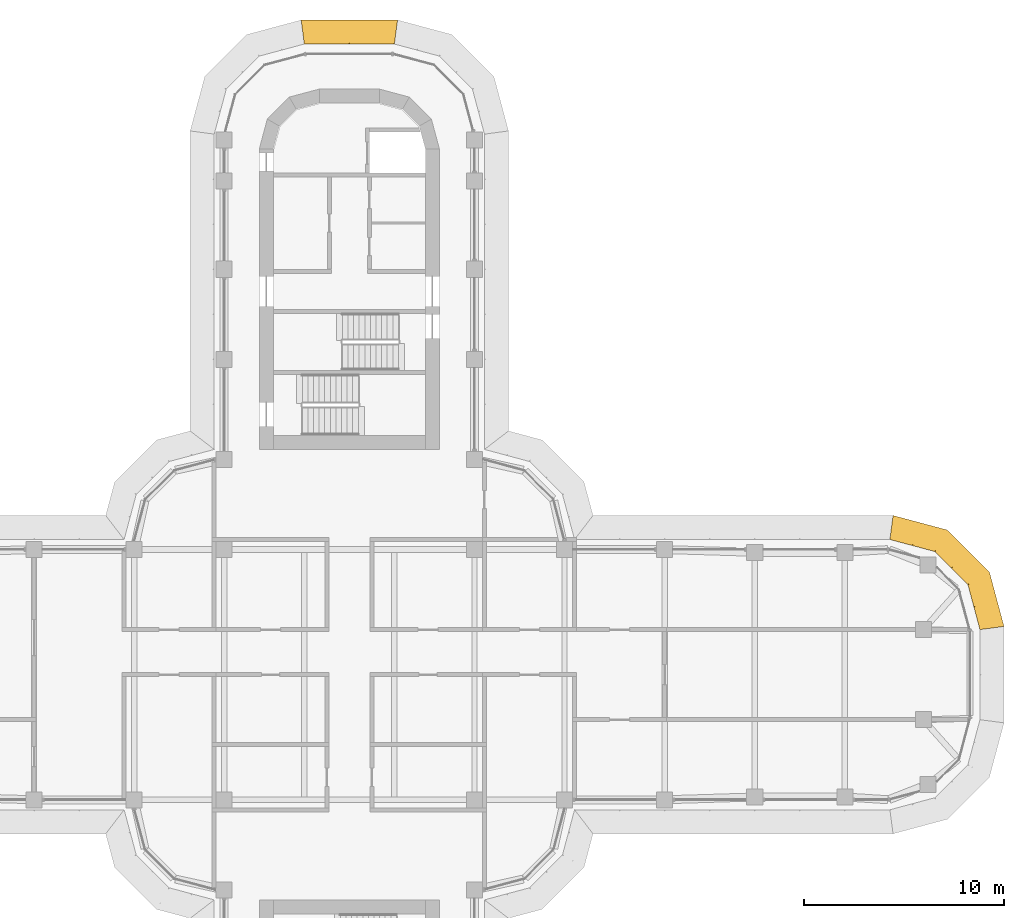
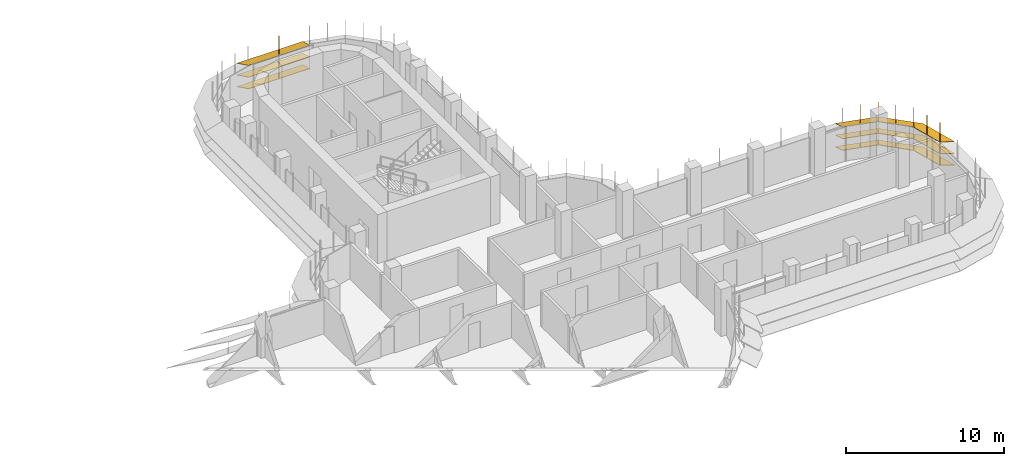
# One storey, part 19 of 19: 2 shading devices.
"""IFC4 building model written with IfcOpenShell, lengths in metres."""

from ifc_helpers import new_model, si_unit, direction, frame, origin, place, context, subcontext, project, spatial, polyline, outline, extrude, faceted_brep, source, transform, mapped, material, type_object, element, save


model = new_model("IFC4")

# Units and contexts
model_context = context("Model", 3, precision=1e-05, world=origin(), true_north=direction((0.0, 1.0)))
body_context = subcontext(model_context, "Body", "Model", "MODEL_VIEW")
ifc_project = project(units=[si_unit("LENGTHUNIT", "METRE"), si_unit("AREAUNIT", "SQUARE_METRE"), si_unit("VOLUMEUNIT", "CUBIC_METRE"), si_unit("PLANEANGLEUNIT", "RADIAN"), si_unit("MASSUNIT", "GRAM", prefix="KILO")], contexts=[model_context])

# Site, building, storey
site_placement = place(None, origin())
site = spatial("IfcSite", under=ifc_project, at=site_placement, CompositionType="ELEMENT")
building_placement = place(site_placement, origin())
building = spatial("IfcBuilding", under=site, at=building_placement, Name="Zarbagh Exchange Tower", CompositionType="ELEMENT")
storey_placement = place(building_placement, frame((0.0, 0.0, 182.800048828125)))
storey = spatial("IfcBuildingStorey", under=building, at=storey_placement, Name="L44", CompositionType="ELEMENT", Elevation=182.800048828125)

# Shading devices
ifc_material = material(Name="Anodised aluminium blades and brackets", Category="aluminium")
shading_device_type = type_object("IfcShadingDeviceType", Name="SUNSHADE louvre band, 22.5 degree blades", PredefinedType="JALOUSIE", material=ifc_material)
shared_shape_1 = source(origin(), body_context, "Body", "Brep", [
    faceted_brep([(0.0, 0.0, 0.0), (0.0, 0.0, -0.043212890625), (-0.157958984375, -1.199951171875, -0.540283203125), (-0.157958984375, -1.199951171875, -0.4970703125), (2.65087890625, -1.199951171875, -0.4970703125), (2.65087890625, -1.199951171875, -0.540283203125), (2.329345703125, 0.0, -0.043212890625), (2.329345703125, 0.0, 0.0)], [[[0, 1, 2, 3]], [[4, 5, 6, 7]], [[0, 7, 6, 1]], [[1, 6, 5, 2]], [[2, 5, 4, 3]], [[3, 4, 7, 0]]]),
])
shared_shape_2 = source(origin(), body_context, "Body", "Brep", [
    faceted_brep([(0.0, 0.0, 0.0), (0.0, 0.0, -0.043212890625), (-0.321533203125, -1.199951171875, -0.540283203125), (-0.321533203125, -1.199951171875, -0.4970703125), (2.65087890625, -1.199951171875, -0.4970703125), (2.65087890625, -1.199951171875, -0.540283203125), (2.329345703125, 0.0, -0.043212890625), (2.329345703125, 0.0, 0.0)], [[[0, 1, 2, 3]], [[4, 5, 6, 7]], [[0, 7, 6, 1]], [[1, 6, 5, 2]], [[2, 5, 4, 3]], [[3, 4, 7, 0]]]),
])
shared_shape_3 = source(origin(), body_context, "Body", "Brep", [
    faceted_brep([(0.0, 0.0, 0.0), (0.0, 0.0, -0.043212890625), (-0.321533203125, -1.199951171875, -0.540283203125), (-0.321533203125, -1.199951171875, -0.4970703125), (2.4873046875, -1.199951171875, -0.4970703125), (2.4873046875, -1.199951171875, -0.540283203125), (2.329345703125, 0.0, -0.043212890625), (2.329345703125, 0.0, 0.0)], [[[0, 1, 2, 3]], [[4, 5, 6, 7]], [[0, 7, 6, 1]], [[1, 6, 5, 2]], [[2, 5, 4, 3]], [[3, 4, 7, 0]]]),
])
shared_shape_4 = source(origin(), body_context, "Body", "SweptSolid", [
    extrude(outline(polyline([(0.0, -0.012451171875), (0.06005859375, -0.012451171875), (0.06005859375, 0.012451171875), (0.0, 0.012451171875), (0.0, -0.012451171875)])), origin(), (0.0, 0.0, 1.0), 3.353271484375),
])
placement = place(storey_placement, origin())
element("IfcShadingDevice", 1, at=placement, inside=storey, type_object=shading_device_type, Name="SS33 sunshade band", PredefinedType="JALOUSIE", context=body_context, shape_type="MappedRepresentation", body=[
    mapped(shared_shape_1, transform((31.5, 2.25, 2.300048828125), x_axis=(-0.258824779902, 0.965924289636, 0.0), y_axis=(-0.965924289636, -0.258824779902, 0.0), z_axis=(0.0, 0.0, 1.0))),
    mapped(shared_shape_1, transform((31.5, 2.25, 1.39990234375), x_axis=(-0.258824779902, 0.965924289636, 0.0), y_axis=(-0.965924289636, -0.258824779902, 0.0), z_axis=(0.0, 0.0, 1.0))),
    mapped(shared_shape_1, transform((31.5, 2.25, 0.5), x_axis=(-0.258824779902, 0.965924289636, 0.0), y_axis=(-0.965924289636, -0.258824779902, 0.0), z_axis=(0.0, 0.0, 1.0))),
    mapped(shared_shape_2, transform((30.897216796875, 4.5, 2.300048828125), x_axis=(-0.707106781187, 0.707106781187, 0.0), y_axis=(-0.707106781187, -0.707106781187, 0.0), z_axis=(0.0, 0.0, 1.0))),
    mapped(shared_shape_2, transform((30.897216796875, 4.5, 1.39990234375), x_axis=(-0.707106781187, 0.707106781187, 0.0), y_axis=(-0.707106781187, -0.707106781187, 0.0), z_axis=(0.0, 0.0, 1.0))),
    mapped(shared_shape_2, transform((30.897216796875, 4.5, 0.5), x_axis=(-0.707106781187, 0.707106781187, 0.0), y_axis=(-0.707106781187, -0.707106781187, 0.0), z_axis=(0.0, 0.0, 1.0))),
    mapped(shared_shape_3, transform((29.25, 6.147216796875, 2.300048828125), x_axis=(-0.965924289636, 0.258824779902, 0.0), y_axis=(-0.258824779902, -0.965924289636, 0.0), z_axis=(0.0, 0.0, 1.0))),
    mapped(shared_shape_3, transform((29.25, 6.147216796875, 1.39990234375), x_axis=(-0.965924289636, 0.258824779902, 0.0), y_axis=(-0.258824779902, -0.965924289636, 0.0), z_axis=(0.0, 0.0, 1.0))),
    mapped(shared_shape_3, transform((29.25, 6.147216796875, 0.5), x_axis=(-0.965924289636, 0.258824779902, 0.0), y_axis=(-0.258824779902, -0.965924289636, 0.0), z_axis=(0.0, 0.0, 1.0))),
    mapped(shared_shape_4, transform((31.5, 2.25, 0.4267578125), x_axis=(0.991444457092, 0.130529263012, 0.0), y_axis=(-0.130529263012, 0.991444457092, 0.0), z_axis=(0.0, 0.0, 1.0))),
    mapped(shared_shape_4, transform((31.198486328125, 3.375, 0.4267578125), x_axis=(0.96592421511, 0.258825058029, 0.0), y_axis=(-0.258825058029, 0.96592421511, 0.0), z_axis=(0.0, 0.0, 1.0))),
    mapped(shared_shape_4, transform((30.897216796875, 4.5, 0.4267578125), x_axis=(0.866023812018, 0.50000275701, 0.0), y_axis=(-0.50000275701, 0.866023812018, 0.0), z_axis=(0.0, 0.0, 1.0))),
    mapped(shared_shape_4, transform((30.073486328125, 5.323486328125, 0.4267578125), x_axis=(0.707106781187, 0.707106781187, 0.0), y_axis=(-0.707106781187, 0.707106781187, 0.0), z_axis=(0.0, 0.0, 1.0))),
    mapped(shared_shape_4, transform((29.25, 6.147216796875, 0.4267578125), x_axis=(0.50000275701, 0.866023812018, 0.0), y_axis=(-0.866023812018, 0.50000275701, 0.0), z_axis=(0.0, 0.0, 1.0))),
    mapped(shared_shape_4, transform((28.125, 6.448486328125, 0.4267578125), x_axis=(0.258825058029, 0.96592421511, 0.0), y_axis=(-0.96592421511, 0.258825058029, 0.0), z_axis=(0.0, 0.0, 1.0))),
])
shared_shape_5 = source(origin(), body_context, "Body", "Brep", [
    faceted_brep([(0.0, 0.0, 0.0), (0.0, 0.0, -0.043212890625), (-0.157958984375, -1.199951171875, -0.540283203125), (-0.157958984375, -1.199951171875, -0.4970703125), (4.657958984375, -1.199951171875, -0.4970703125), (4.657958984375, -1.199951171875, -0.540283203125), (4.5, 0.0, -0.043212890625), (4.5, 0.0, 0.0)], [[[0, 1, 2, 3]], [[4, 5, 6, 7]], [[0, 7, 6, 1]], [[1, 6, 5, 2]], [[2, 5, 4, 3]], [[3, 4, 7, 0]]]),
])
element("IfcShadingDevice", 2, at=placement, inside=storey, type_object=shading_device_type, Name="SS27 sunshade band", PredefinedType="JALOUSIE", context=body_context, shape_type="MappedRepresentation", body=[
    mapped(shared_shape_5, transform((2.25, 31.5, 2.300048828125), x_axis=(-1.0, 0.0, 0.0), y_axis=(0.0, -1.0, 0.0), z_axis=(0.0, 0.0, 1.0))),
    mapped(shared_shape_5, transform((2.25, 31.5, 1.39990234375), x_axis=(-1.0, 0.0, 0.0), y_axis=(0.0, -1.0, 0.0), z_axis=(0.0, 0.0, 1.0))),
    mapped(shared_shape_5, transform((2.25, 31.5, 0.5), x_axis=(-1.0, 0.0, 0.0), y_axis=(0.0, -1.0, 0.0), z_axis=(0.0, 0.0, 1.0))),
    mapped(shared_shape_4, transform((2.25, 31.5, 0.4267578125), x_axis=(0.130529263012, 0.991444457092, 0.0), y_axis=(-0.991444457092, 0.130529263012, 0.0), z_axis=(0.0, 0.0, 1.0))),
    mapped(shared_shape_4, transform((0.0, 31.5, 0.4267578125), x_axis=(0.0, 1.0, 0.0), y_axis=(-1.0, 0.0, 0.0), z_axis=(0.0, 0.0, 1.0))),
])

save(model, "model.ifc")
